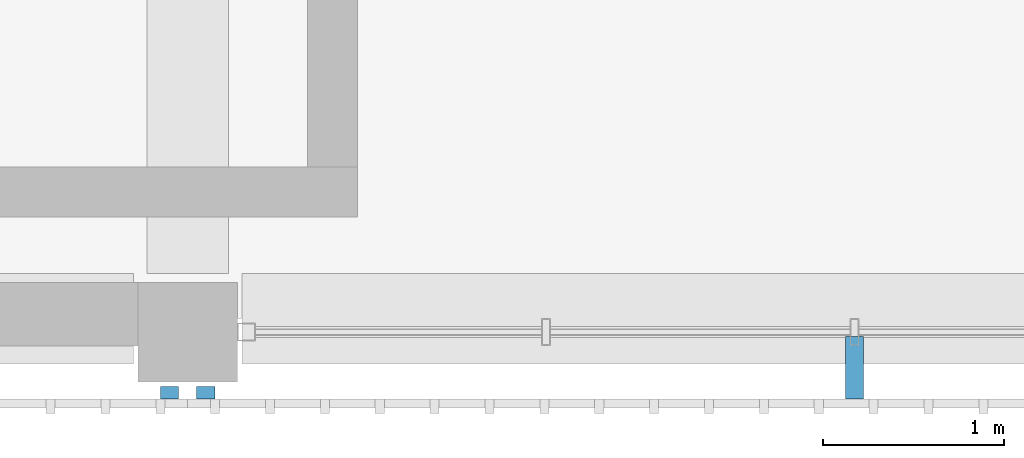
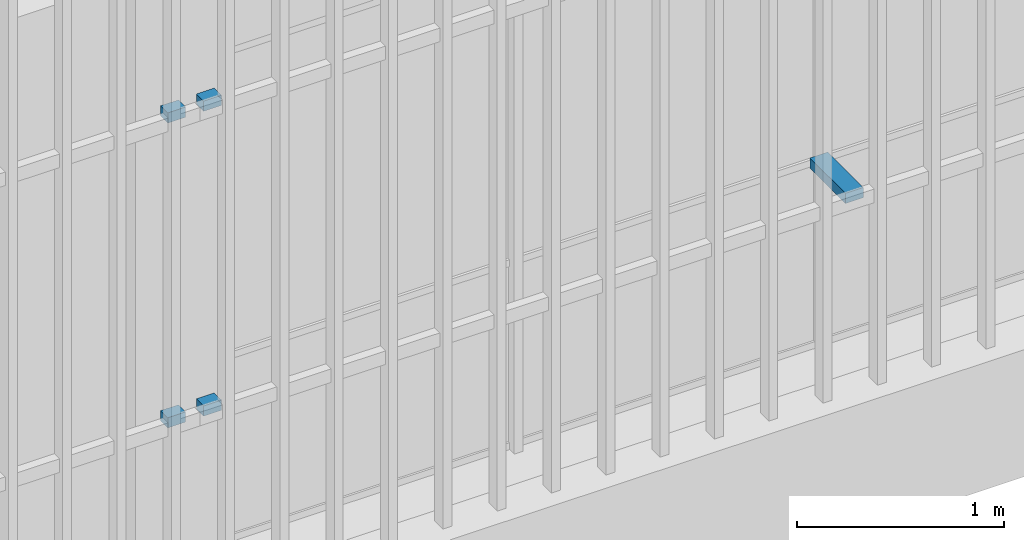
# One storey, part 97 of 139: 5 discrete accessories.
"""IFC4 building model written with IfcOpenShell, lengths in metres."""

import ifcopenshell
import ifcopenshell.guid

model = None  # the IFC model being written
_history = None  # IfcOwnerHistory: only IFC2X3 demands one
_inside = {}  # id of a spatial element -> (the spatial element, [elements in it])
_under = {}  # id of a project, library or spatial element -> (it, [spatial elements below it])
_declared = {}  # id of a project -> (the project, [libraries it declares])
_typed = {}  # id of a type object -> (the type object, [elements of that type])
_made_of = {}  # id of a material, layer set ... -> (it, [elements and type objects made of it])


def new_model(schema):
    """Start an empty IFC model of exactly this schema.

    Asked for "IFC4X3", IfcOpenShell would pick the latest addendum, in which some entities
    have other attributes; the version numbers below select the first issue.
    IFC2X3 requires an IfcOwnerHistory on every rooted entity: one is made here for all.
    """
    global model, _history
    if schema == "IFC4X3":
        model = ifcopenshell.file(schema_version=(4, 3, 0, 0))
    else:
        model = ifcopenshell.file(schema=schema)
    _inside.clear()
    _under.clear()
    _declared.clear()
    _typed.clear()
    _made_of.clear()
    _history = None
    if model.schema == "IFC2X3":
        org = make("IfcOrganization", Name="unknown")
        user = make(
            "IfcPersonAndOrganization",
            ThePerson=make("IfcPerson", FamilyName="unknown"),
            TheOrganization=org,
        )
        app = make(
            "IfcApplication",
            ApplicationDeveloper=org,
            Version="unknown",
            ApplicationFullName="unknown",
            ApplicationIdentifier="unknown",
        )
        _history = make(
            "IfcOwnerHistory",
            OwningUser=user,
            OwningApplication=app,
            ChangeAction="ADDED",
            CreationDate=0,
        )
    return model


def make(cls, **values):
    """One entity of the class cls with the attributes given. An attribute that is None is left unset."""
    return model.create_entity(
        cls, **{name: value for name, value in values.items() if value is not None}
    )


def rooted(cls, **values):
    """An entity with a GlobalId (a new one), such as an element, a storey or a relation."""
    return make(cls, GlobalId=ifcopenshell.guid.new(), OwnerHistory=_history, **values)


def si_unit(unit_type, name, prefix=None):
    """IfcSIUnit, for example si_unit("LENGTHUNIT", "METRE", prefix="MILLI")."""
    return make("IfcSIUnit", UnitType=unit_type, Prefix=prefix, Name=name)


def assignment(units):
    """IfcUnitAssignment: the units of a project."""
    return None if units is None else make("IfcUnitAssignment", Units=units)


def point(xyz):
    """IfcCartesianPoint."""
    return None if xyz is None else make("IfcCartesianPoint", Coordinates=xyz)


def direction(xyz):
    """IfcDirection."""
    return None if xyz is None else make("IfcDirection", DirectionRatios=xyz)


def frame(location, z_axis=None, x_axis=None):
    """IfcAxis2Placement3D, a coordinate frame: its origin and axes. An axis left out is left unset."""
    return make(
        "IfcAxis2Placement3D",
        Location=point(location),
        Axis=direction(z_axis),
        RefDirection=direction(x_axis),
    )


def frame_2d(location, x_axis=None):
    """IfcAxis2Placement2D, a coordinate frame in the plane: its origin and x axis."""
    return make(
        "IfcAxis2Placement2D", Location=point(location), RefDirection=direction(x_axis)
    )


def origin():
    """The frame at (0, 0, 0) with its axes left unset."""
    return frame((0.0, 0.0, 0.0))


def origin_2d():
    """The frame at (0, 0) in the plane with its x axis left unset."""
    return frame_2d((0.0, 0.0))


def place(relative_to, where):
    """IfcLocalPlacement: puts the frame where relative to a parent placement (None: the world)."""
    return make(
        "IfcLocalPlacement", PlacementRelTo=relative_to, RelativePlacement=where
    )


def context(
    kind, dimensions, precision=None, world=None, true_north=None, identifier=None
):
    """IfcGeometricRepresentationContext, for example the 3D "Model" context."""
    return make(
        "IfcGeometricRepresentationContext",
        ContextIdentifier=identifier,
        ContextType=kind,
        CoordinateSpaceDimension=dimensions,
        Precision=precision,
        WorldCoordinateSystem=world,
        TrueNorth=true_north,
    )


def subcontext(parent, identifier, kind, view, scale=None):
    """IfcGeometricRepresentationSubContext, for example "Body" below "Model"."""
    return make(
        "IfcGeometricRepresentationSubContext",
        ContextIdentifier=identifier,
        ContextType=kind,
        ParentContext=parent,
        TargetScale=scale,
        TargetView=view,
    )


def project(units=None, contexts=None):
    """IfcProject with its units and contexts."""
    return rooted(
        "IfcProject",
        Name="project",
        RepresentationContexts=contexts,
        UnitsInContext=assignment(units),
    )


def spatial(cls, under=None, at=None, **own):
    """A site, building, storey or space (cls), placed at a placement, below another one or the project."""
    s = rooted(cls, ObjectPlacement=at, **own)
    if under is not None:
        _under.setdefault(under.id(), (under, []))[1].append(s)
    return s


def profile(cls, at=None, kind="AREA", **sizes):
    """A parametric profile (cls). Its sizes go by their IFC names, for example OverallWidth=200.0."""
    return make(cls, ProfileType=kind, Position=at, **sizes)


def rectangle(**sizes):
    """IfcRectangleProfileDef."""
    return profile("IfcRectangleProfileDef", **sizes)


def extrude(swept, where, along, depth):
    """IfcExtrudedAreaSolid: the profile swept, set in the frame where, extruded along a direction by depth."""
    return make(
        "IfcExtrudedAreaSolid",
        SweptArea=swept,
        Position=where,
        ExtrudedDirection=direction(along),
        Depth=depth,
    )


def shape(context_of_items, identifier, shape_type, items):
    """IfcShapeRepresentation: the items that make up one representation, for example the "Body"."""
    return make(
        "IfcShapeRepresentation",
        ContextOfItems=context_of_items,
        RepresentationIdentifier=identifier,
        RepresentationType=shape_type,
        Items=items,
    )


def material(Name=None, Category=None):
    """IfcMaterial."""
    return make("IfcMaterial", Name=Name, Category=Category)


def made_of(thing, what):
    """Note that an element or type object is made of a material, layer set ...; save() writes the relation."""
    if what is not None:
        _made_of.setdefault(what.id(), (what, []))[1].append(thing)
    return thing


def type_object(cls, material=None, **own):
    """A type object (cls), such as IfcWallType, which elements share."""
    return made_of(rooted(cls, **own), material)


def element(
    cls,
    number,
    at=None,
    inside=None,
    cuts=None,
    type_object=None,
    material=None,
    context=None,
    identifier="Body",
    shape_type=None,
    held_by="IfcProductDefinitionShape",
    body=None,
    shapes=None,
    **own,
):
    """One element of the class cls, such as IfcWall. Its Tag is "e" and its number.

    at: its placement. inside: the storey or other place that contains it. cuts: it is an
    opening in that element (IfcRelVoidsElement). A single representation is given by context,
    identifier, shape_type and body (its items); several are given by shapes. held_by: the class
    of the entity that holds the representations. save() writes the other relations.
    """
    e = rooted(cls, Tag="e%d" % number, ObjectPlacement=at, **own)
    if body is not None:
        shapes = [shape(context, identifier, shape_type, body)]
    if shapes is not None:
        e.Representation = make(held_by, Representations=shapes)
    if inside is not None:
        _inside.setdefault(inside.id(), (inside, []))[1].append(e)
    if cuts is not None:
        rooted(
            "IfcRelVoidsElement", RelatingBuildingElement=cuts, RelatedOpeningElement=e
        )
    if type_object is not None:
        _typed.setdefault(type_object.id(), (type_object, []))[1].append(e)
    return made_of(e, material)


def aggregate(whole, parts):
    """IfcRelAggregates: a whole, such as a stair, and the parts it consists of."""
    return rooted("IfcRelAggregates", RelatingObject=whole, RelatedObjects=parts)


def save(model, path):
    """Write the relations noted so far, then the file.

    IfcRelAggregates (storeys below a building ...), IfcRelContainedInSpatialStructure (elements
    in a storey), IfcRelDefinesByType, IfcRelAssociatesMaterial and IfcRelDeclares: one each for
    every whole, place, type object, material and project.
    """
    for whole, parts in _under.values():
        aggregate(whole, parts)
    for where, things in _inside.values():
        rooted(
            "IfcRelContainedInSpatialStructure",
            RelatedElements=things,
            RelatingStructure=where,
        )
    for kind, things in _typed.values():
        rooted("IfcRelDefinesByType", RelatedObjects=things, RelatingType=kind)
    for what, things in _made_of.values():
        rooted("IfcRelAssociatesMaterial", RelatedObjects=things, RelatingMaterial=what)
    for by, libraries in _declared.values():
        rooted("IfcRelDeclares", RelatingContext=by, RelatedDefinitions=libraries)
    model.write(path)


model = new_model("IFC4")

# Units and contexts
model_context = context("Model", 3, precision=1e-05, world=origin(), true_north=direction((0.0, 1.0)))
body_context = subcontext(model_context, "Body", "Model", "MODEL_VIEW")
ifc_project = project(units=[si_unit("LENGTHUNIT", "METRE"), si_unit("AREAUNIT", "SQUARE_METRE"), si_unit("VOLUMEUNIT", "CUBIC_METRE"), si_unit("PLANEANGLEUNIT", "RADIAN"), si_unit("MASSUNIT", "GRAM", prefix="KILO")], contexts=[model_context])

# Site, building, storey
site_placement = place(None, origin())
site = spatial("IfcSite", under=ifc_project, at=site_placement, CompositionType="ELEMENT")
building_placement = place(site_placement, origin())
building = spatial("IfcBuilding", under=site, at=building_placement, Name="Shirokan Park Arena", CompositionType="ELEMENT")
storey_placement = place(building_placement, frame((0.0, 0.0, 15.469970703125)))
storey = spatial("IfcBuildingStorey", under=building, at=storey_placement, Name="L03", CompositionType="ELEMENT", Elevation=15.469970703125)

# Discrete accessories
ifc_material = material(Name="Steel S355", Category="steel")
discrete_accessory_type = type_object("IfcDiscreteAccessoryType", Name="Veil bracket 100x60", PredefinedType="BRACKET", material=ifc_material)
for number, where, z_axis, x_axis, name in (
    (1, (27.199951171875, -0.409912109375, 1.070068359375), (0.0, 0.0, 1.0), (1.0, 0.0, 0.0), "Veil bracket south bay 3 L03 2"),
    (2, (27.199951171875, -0.409912109375, 2.8701171875), (0.0, 0.0, 1.0), (1.0, 0.0, 0.0), "Veil bracket south bay 3 L03 4"),
    (3, (27.39990234375, -0.409912109375, 1.070068359375), (0.0, 0.0, 1.0), (1.0, 0.0, 0.0), "Veil bracket south bay 4 L03 1"),
    (4, (27.39990234375, -0.409912109375, 2.8701171875), (0.0, 0.0, 1.0), (1.0, 0.0, 0.0), "Veil bracket south bay 4 L03 3"),
):
    element("IfcDiscreteAccessory", number, at=place(storey_placement, frame(where, z_axis=z_axis, x_axis=x_axis)), inside=storey, type_object=discrete_accessory_type, Name=name, PredefinedType="BRACKET", context=body_context, shape_type="SweptSolid", body=[
        extrude(rectangle(XDim=0.10009765625, YDim=0.070068359375, at=origin_2d()), origin(), (0.0, 0.0, 1.0), 0.06005859375),
    ])
discrete_accessory_placement = place(storey_placement, frame((30.985107421875, -0.2724609375, 1.070068359375), z_axis=(0.0, 0.0, 1.0), x_axis=(1.0, 0.0, 0.0)))
element("IfcDiscreteAccessory", 5, at=discrete_accessory_placement, inside=storey, type_object=discrete_accessory_type, Name="Veil bracket south bay 4 L03 wall 1", PredefinedType="BRACKET", context=body_context, shape_type="SweptSolid", body=[
    extrude(rectangle(XDim=0.10009765625, YDim=0.344970703125, at=origin_2d()), origin(), (0.0, 0.0, 1.0), 0.06005859375),
])

save(model, "model.ifc")
